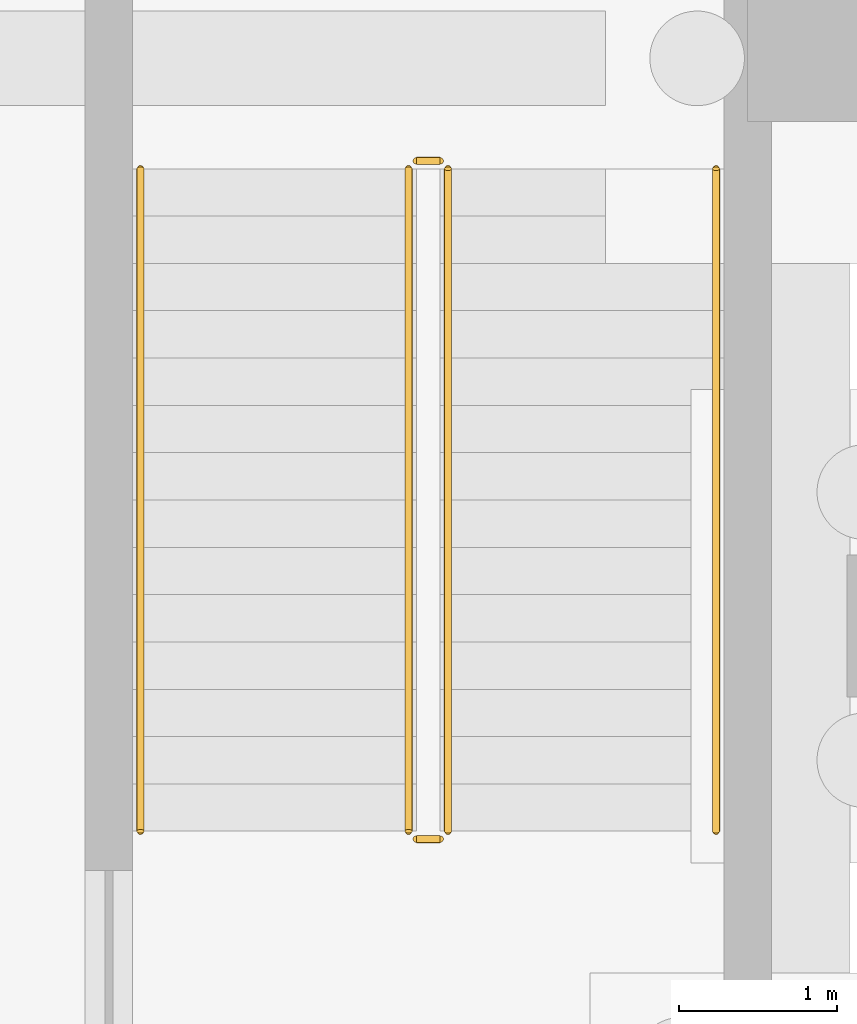
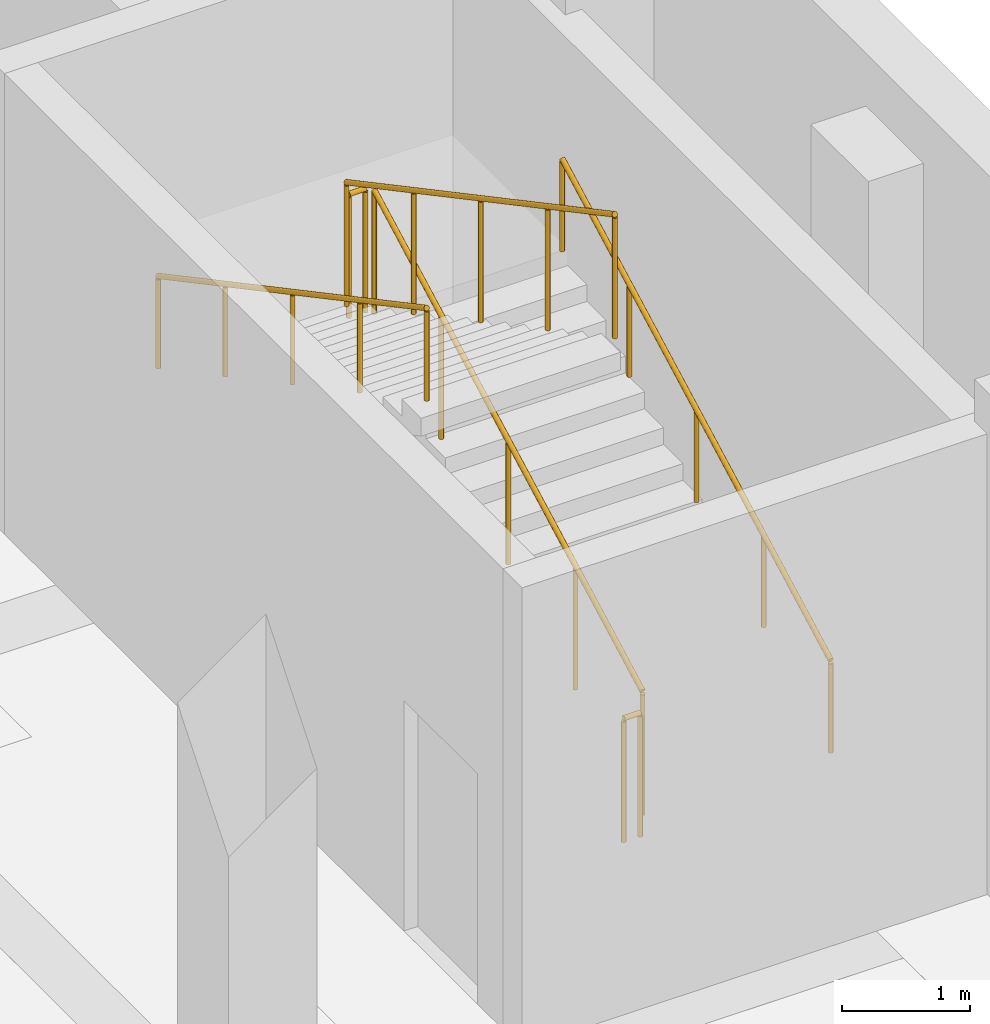
# One storey, part 38 of 38: 6 railings.
"""IFC4 building model written with IfcOpenShell, lengths in metres."""

from ifc_helpers import new_model, si_unit, direction, frame, origin, origin_2d, place, context, subcontext, project, spatial, circle, extrude, material, type_object, element, save


model = new_model("IFC4")

# Units and contexts
model_context = context("Model", 3, precision=1e-05, world=origin(), true_north=direction((0.0, 1.0)))
body_context = subcontext(model_context, "Body", "Model", "MODEL_VIEW")
ifc_project = project(units=[si_unit("LENGTHUNIT", "METRE"), si_unit("AREAUNIT", "SQUARE_METRE"), si_unit("VOLUMEUNIT", "CUBIC_METRE"), si_unit("PLANEANGLEUNIT", "RADIAN"), si_unit("MASSUNIT", "GRAM", prefix="KILO")], contexts=[model_context])

# Site, building, storey
site_placement = place(None, origin())
site = spatial("IfcSite", under=ifc_project, at=site_placement, CompositionType="ELEMENT")
building_placement = place(site_placement, origin())
building = spatial("IfcBuilding", under=site, at=building_placement, Name="Valkovuoma Quantum and Materials Research Institute", CompositionType="ELEMENT")
storey_placement = place(building_placement, frame((0.0, 0.0, -4.800048828125)))
storey = spatial("IfcBuildingStorey", under=building, at=storey_placement, Name="B1", CompositionType="ELEMENT", Elevation=-4.800048828125)

# Railings
ifc_material_1 = material(Name="Painted steel stair balustrade", Category="steel")
railing_type_1 = type_object("IfcRailingType", Name="Rail-GRD-ST", PredefinedType="BALUSTRADE", material=ifc_material_1)
railing_1_placement = place(storey_placement, frame((163.300048828125, 59.89990234375, 0.16015625)))
element("IfcRailing", 1, at=railing_1_placement, inside=storey, type_object=railing_type_1, Name="B1 ST-3 stair guard 1", PredefinedType="BALUSTRADE", context=body_context, shape_type="SweptSolid", body=[
    extrude(circle(Radius=0.02392578125, at=origin_2d()), frame((0.0, 0.0, 1.17578125), z_axis=(0.0, 0.882362879185, 0.470569601054), x_axis=(-1.0, 0.0, 0.0)), (0.0, 0.0, 1.0), 4.76025390625),
    extrude(circle(Radius=0.02099609375, at=origin_2d()), origin(), (0.0, 0.0, 1.0), 1.15185546875),
    extrude(circle(Radius=0.02099609375, at=origin_2d()), frame((0.0, 1.050048828125, 0.56005859375)), (0.0, 0.0, 1.0), 1.15185546875),
    extrude(circle(Radius=0.02099609375, at=origin_2d()), frame((0.0, 2.10009765625, 1.1201171875)), (0.0, 0.0, 1.0), 1.15185546875),
    extrude(circle(Radius=0.02099609375, at=origin_2d()), frame((0.0, 3.150146484375, 1.679931640625)), (0.0, 0.0, 1.0), 1.15185546875),
    extrude(circle(Radius=0.02099609375, at=origin_2d()), frame((0.0, 4.2001953125, 2.239990234375)), (0.0, 0.0, 1.0), 1.15185546875),
])
railing_2_placement = place(storey_placement, frame((163.25, 64.14990234375, 2.400146484375)))
element("IfcRailing", 2, at=railing_2_placement, inside=storey, type_object=railing_type_1, Name="B1 ST-3 stair guard 2", PredefinedType="BALUSTRADE", context=body_context, shape_type="SweptSolid", body=[
    extrude(circle(Radius=0.02392578125, at=origin_2d()), frame((0.0, 0.0, 1.17578125), z_axis=(-1.0, 0.0, 0.0), x_axis=(0.0, -1.0, 0.0)), (0.0, 0.0, 1.0), 0.14990234375),
    extrude(circle(Radius=0.02099609375, at=origin_2d()), origin(), (0.0, 0.0, 1.0), 1.15185546875),
    extrude(circle(Radius=0.02099609375, at=origin_2d()), frame((-0.14990234375, 0.0, 0.0)), (0.0, 0.0, 1.0), 1.15185546875),
])
railing_3_placement = place(storey_placement, frame((163.050048828125, 64.10009765625, 2.56005859375)))
element("IfcRailing", 3, at=railing_3_placement, inside=storey, type_object=railing_type_1, Name="B1 ST-3 stair guard 3", PredefinedType="BALUSTRADE", context=body_context, shape_type="SweptSolid", body=[
    extrude(circle(Radius=0.02392578125, at=origin_2d()), frame((0.0, 0.0, 1.17578125), z_axis=(0.0, -0.882362879185, 0.470569601054), x_axis=(1.0, 0.0, 0.0)), (0.0, 0.0, 1.0), 4.76025390625),
    extrude(circle(Radius=0.02099609375, at=origin_2d()), origin(), (0.0, 0.0, 1.0), 1.15185546875),
    extrude(circle(Radius=0.02099609375, at=origin_2d()), frame((0.0, -1.050048828125, 0.56005859375)), (0.0, 0.0, 1.0), 1.15185546875),
    extrude(circle(Radius=0.02099609375, at=origin_2d()), frame((0.0, -2.10009765625, 1.1201171875)), (0.0, 0.0, 1.0), 1.15185546875),
    extrude(circle(Radius=0.02099609375, at=origin_2d()), frame((0.0, -3.150146484375, 1.679931640625)), (0.0, 0.0, 1.0), 1.15185546875),
    extrude(circle(Radius=0.02099609375, at=origin_2d()), frame((0.0, -4.2001953125, 2.239990234375)), (0.0, 0.0, 1.0), 1.15185546875),
])
railing_4_placement = place(storey_placement, frame((163.25, 59.85009765625, 0.0)))
element("IfcRailing", 4, at=railing_4_placement, inside=storey, type_object=railing_type_1, Name="B1 ST-3 stair guard 4", PredefinedType="BALUSTRADE", context=body_context, shape_type="SweptSolid", body=[
    extrude(circle(Radius=0.02392578125, at=origin_2d()), frame((0.0, 0.0, 1.17578125), z_axis=(-1.0, 0.0, 0.0), x_axis=(0.0, -1.0, 0.0)), (0.0, 0.0, 1.0), 0.14990234375),
    extrude(circle(Radius=0.02099609375, at=origin_2d()), origin(), (0.0, 0.0, 1.0), 1.15185546875),
    extrude(circle(Radius=0.02099609375, at=origin_2d()), frame((-0.14990234375, 0.0, 0.0)), (0.0, 0.0, 1.0), 1.15185546875),
])
ifc_material_2 = material(Name="Brushed stainless steel handrail", Category="steel")
railing_type_2 = type_object("IfcRailingType", Name="Rail-HR-ST", PredefinedType="HANDRAIL", material=ifc_material_2)
railing_5_placement = place(storey_placement, frame((165.0, 59.89990234375, 0.16015625)))
element("IfcRailing", 5, at=railing_5_placement, inside=storey, type_object=railing_type_2, Name="B1 ST-3 stair handrail 1", PredefinedType="HANDRAIL", context=body_context, shape_type="SweptSolid", body=[
    extrude(circle(Radius=0.02392578125, at=origin_2d()), frame((0.0, 0.0, 0.8759765625), z_axis=(0.0, 0.882362879185, 0.470569601054), x_axis=(-1.0, 0.0, 0.0)), (0.0, 0.0, 1.0), 4.76025390625),
    extrude(circle(Radius=0.02099609375, at=origin_2d()), origin(), (0.0, 0.0, 1.0), 0.851806640625),
    extrude(circle(Radius=0.02099609375, at=origin_2d()), frame((0.0, 1.050048828125, 0.56005859375)), (0.0, 0.0, 1.0), 0.851806640625),
    extrude(circle(Radius=0.02099609375, at=origin_2d()), frame((0.0, 2.10009765625, 1.1201171875)), (0.0, 0.0, 1.0), 0.851806640625),
    extrude(circle(Radius=0.02099609375, at=origin_2d()), frame((0.0, 3.150146484375, 1.679931640625)), (0.0, 0.0, 1.0), 0.851806640625),
    extrude(circle(Radius=0.02099609375, at=origin_2d()), frame((0.0, 4.2001953125, 2.239990234375)), (0.0, 0.0, 1.0), 0.851806640625),
])
railing_6_placement = place(storey_placement, frame((161.35009765625, 64.10009765625, 2.56005859375)))
element("IfcRailing", 6, at=railing_6_placement, inside=storey, type_object=railing_type_2, Name="B1 ST-3 stair handrail 2", PredefinedType="HANDRAIL", context=body_context, shape_type="SweptSolid", body=[
    extrude(circle(Radius=0.02392578125, at=origin_2d()), frame((0.0, 0.0, 0.8759765625), z_axis=(0.0, -0.882362879185, 0.470569601054), x_axis=(1.0, 0.0, 0.0)), (0.0, 0.0, 1.0), 4.76025390625),
    extrude(circle(Radius=0.02099609375, at=origin_2d()), origin(), (0.0, 0.0, 1.0), 0.851806640625),
    extrude(circle(Radius=0.02099609375, at=origin_2d()), frame((0.0, -1.050048828125, 0.56005859375)), (0.0, 0.0, 1.0), 0.851806640625),
    extrude(circle(Radius=0.02099609375, at=origin_2d()), frame((0.0, -2.10009765625, 1.1201171875)), (0.0, 0.0, 1.0), 0.851806640625),
    extrude(circle(Radius=0.02099609375, at=origin_2d()), frame((0.0, -3.150146484375, 1.679931640625)), (0.0, 0.0, 1.0), 0.851806640625),
    extrude(circle(Radius=0.02099609375, at=origin_2d()), frame((0.0, -4.2001953125, 2.239990234375)), (0.0, 0.0, 1.0), 0.851806640625),
])

save(model, "model.ifc")
